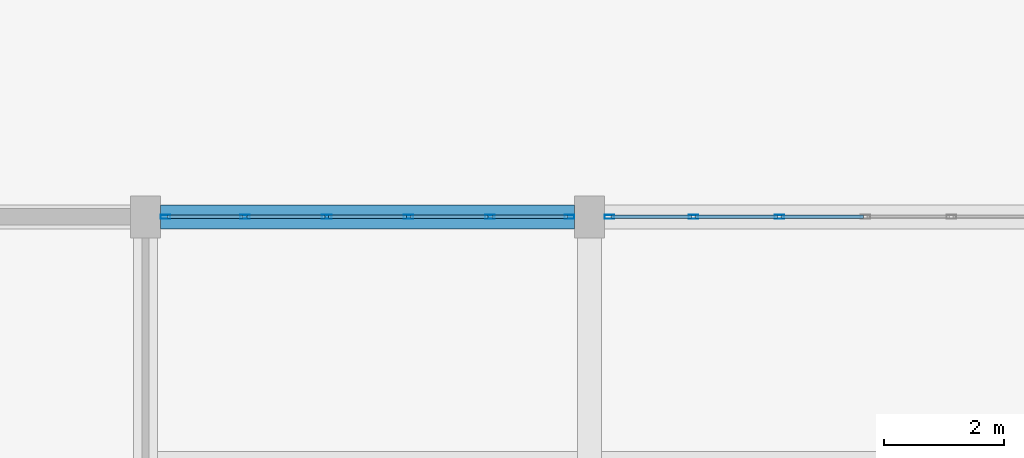
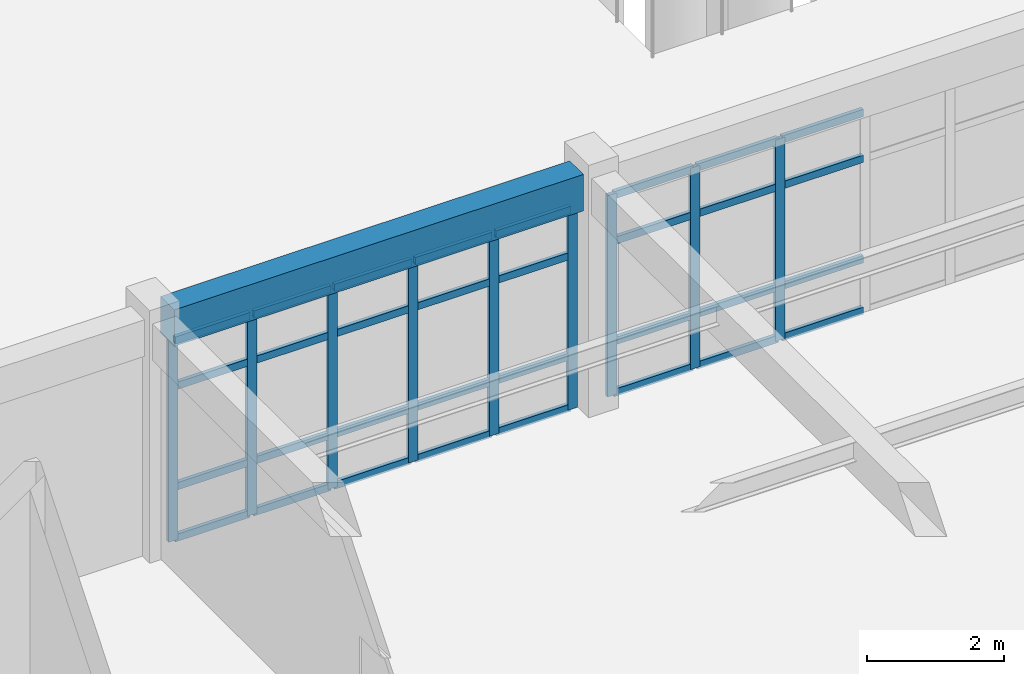
# One storey, part 36 of 154: 41 members, 1 beam, 2 elements without a shape of their own.
"""IFC4 building model written with IfcOpenShell, lengths in metres."""

import ifcopenshell
import ifcopenshell.guid

model = None  # the IFC model being written
_history = None  # IfcOwnerHistory: only IFC2X3 demands one
_inside = {}  # id of a spatial element -> (the spatial element, [elements in it])
_under = {}  # id of a project, library or spatial element -> (it, [spatial elements below it])
_declared = {}  # id of a project -> (the project, [libraries it declares])
_typed = {}  # id of a type object -> (the type object, [elements of that type])
_made_of = {}  # id of a material, layer set ... -> (it, [elements and type objects made of it])


def new_model(schema):
    """Start an empty IFC model of exactly this schema.

    Asked for "IFC4X3", IfcOpenShell would pick the latest addendum, in which some entities
    have other attributes; the version numbers below select the first issue.
    IFC2X3 requires an IfcOwnerHistory on every rooted entity: one is made here for all.
    """
    global model, _history
    if schema == "IFC4X3":
        model = ifcopenshell.file(schema_version=(4, 3, 0, 0))
    else:
        model = ifcopenshell.file(schema=schema)
    _inside.clear()
    _under.clear()
    _declared.clear()
    _typed.clear()
    _made_of.clear()
    _history = None
    if model.schema == "IFC2X3":
        org = make("IfcOrganization", Name="unknown")
        user = make(
            "IfcPersonAndOrganization",
            ThePerson=make("IfcPerson", FamilyName="unknown"),
            TheOrganization=org,
        )
        app = make(
            "IfcApplication",
            ApplicationDeveloper=org,
            Version="unknown",
            ApplicationFullName="unknown",
            ApplicationIdentifier="unknown",
        )
        _history = make(
            "IfcOwnerHistory",
            OwningUser=user,
            OwningApplication=app,
            ChangeAction="ADDED",
            CreationDate=0,
        )
    return model


def make(cls, **values):
    """One entity of the class cls with the attributes given. An attribute that is None is left unset."""
    return model.create_entity(
        cls, **{name: value for name, value in values.items() if value is not None}
    )


def rooted(cls, **values):
    """An entity with a GlobalId (a new one), such as an element, a storey or a relation."""
    return make(cls, GlobalId=ifcopenshell.guid.new(), OwnerHistory=_history, **values)


def si_unit(unit_type, name, prefix=None):
    """IfcSIUnit, for example si_unit("LENGTHUNIT", "METRE", prefix="MILLI")."""
    return make("IfcSIUnit", UnitType=unit_type, Prefix=prefix, Name=name)


def assignment(units):
    """IfcUnitAssignment: the units of a project."""
    return None if units is None else make("IfcUnitAssignment", Units=units)


def point(xyz):
    """IfcCartesianPoint."""
    return None if xyz is None else make("IfcCartesianPoint", Coordinates=xyz)


def direction(xyz):
    """IfcDirection."""
    return None if xyz is None else make("IfcDirection", DirectionRatios=xyz)


def frame(location, z_axis=None, x_axis=None):
    """IfcAxis2Placement3D, a coordinate frame: its origin and axes. An axis left out is left unset."""
    return make(
        "IfcAxis2Placement3D",
        Location=point(location),
        Axis=direction(z_axis),
        RefDirection=direction(x_axis),
    )


def frame_2d(location, x_axis=None):
    """IfcAxis2Placement2D, a coordinate frame in the plane: its origin and x axis."""
    return make(
        "IfcAxis2Placement2D", Location=point(location), RefDirection=direction(x_axis)
    )


def origin():
    """The frame at (0, 0, 0) with its axes left unset."""
    return frame((0.0, 0.0, 0.0))


def origin_2d():
    """The frame at (0, 0) in the plane with its x axis left unset."""
    return frame_2d((0.0, 0.0))


def place(relative_to, where):
    """IfcLocalPlacement: puts the frame where relative to a parent placement (None: the world)."""
    return make(
        "IfcLocalPlacement", PlacementRelTo=relative_to, RelativePlacement=where
    )


def context(
    kind, dimensions, precision=None, world=None, true_north=None, identifier=None
):
    """IfcGeometricRepresentationContext, for example the 3D "Model" context."""
    return make(
        "IfcGeometricRepresentationContext",
        ContextIdentifier=identifier,
        ContextType=kind,
        CoordinateSpaceDimension=dimensions,
        Precision=precision,
        WorldCoordinateSystem=world,
        TrueNorth=true_north,
    )


def subcontext(parent, identifier, kind, view, scale=None):
    """IfcGeometricRepresentationSubContext, for example "Body" below "Model"."""
    return make(
        "IfcGeometricRepresentationSubContext",
        ContextIdentifier=identifier,
        ContextType=kind,
        ParentContext=parent,
        TargetScale=scale,
        TargetView=view,
    )


def project(units=None, contexts=None):
    """IfcProject with its units and contexts."""
    return rooted(
        "IfcProject",
        Name="project",
        RepresentationContexts=contexts,
        UnitsInContext=assignment(units),
    )


def spatial(cls, under=None, at=None, **own):
    """A site, building, storey or space (cls), placed at a placement, below another one or the project."""
    s = rooted(cls, ObjectPlacement=at, **own)
    if under is not None:
        _under.setdefault(under.id(), (under, []))[1].append(s)
    return s


def profile(cls, at=None, kind="AREA", **sizes):
    """A parametric profile (cls). Its sizes go by their IFC names, for example OverallWidth=200.0."""
    return make(cls, ProfileType=kind, Position=at, **sizes)


def rectangle(**sizes):
    """IfcRectangleProfileDef."""
    return profile("IfcRectangleProfileDef", **sizes)


def hollow_rectangle(**sizes):
    """IfcRectangleHollowProfileDef."""
    return profile("IfcRectangleHollowProfileDef", **sizes)


def extrude(swept, where, along, depth):
    """IfcExtrudedAreaSolid: the profile swept, set in the frame where, extruded along a direction by depth."""
    return make(
        "IfcExtrudedAreaSolid",
        SweptArea=swept,
        Position=where,
        ExtrudedDirection=direction(along),
        Depth=depth,
    )


def shape(context_of_items, identifier, shape_type, items):
    """IfcShapeRepresentation: the items that make up one representation, for example the "Body"."""
    return make(
        "IfcShapeRepresentation",
        ContextOfItems=context_of_items,
        RepresentationIdentifier=identifier,
        RepresentationType=shape_type,
        Items=items,
    )


def material(Name=None, Category=None):
    """IfcMaterial."""
    return make("IfcMaterial", Name=Name, Category=Category)


def material_profile(
    of_material, cross_section, Name=None, Category=None, Priority=None
):
    """IfcMaterialProfile: a cross section and its material."""
    return make(
        "IfcMaterialProfile",
        Name=Name,
        Material=of_material,
        Profile=cross_section,
        Priority=Priority,
        Category=Category,
    )


def profile_set(profiles, Name=None, composite=None):
    """IfcMaterialProfileSet."""
    return make(
        "IfcMaterialProfileSet",
        Name=Name,
        MaterialProfiles=profiles,
        CompositeProfile=composite,
    )


def made_of(thing, what):
    """Note that an element or type object is made of a material, layer set ...; save() writes the relation."""
    if what is not None:
        _made_of.setdefault(what.id(), (what, []))[1].append(thing)
    return thing


def type_object(cls, material=None, **own):
    """A type object (cls), such as IfcWallType, which elements share."""
    return made_of(rooted(cls, **own), material)


def element(
    cls,
    number,
    at=None,
    inside=None,
    cuts=None,
    type_object=None,
    material=None,
    context=None,
    identifier="Body",
    shape_type=None,
    held_by="IfcProductDefinitionShape",
    body=None,
    shapes=None,
    **own,
):
    """One element of the class cls, such as IfcWall. Its Tag is "e" and its number.

    at: its placement. inside: the storey or other place that contains it. cuts: it is an
    opening in that element (IfcRelVoidsElement). A single representation is given by context,
    identifier, shape_type and body (its items); several are given by shapes. held_by: the class
    of the entity that holds the representations. save() writes the other relations.
    """
    e = rooted(cls, Tag="e%d" % number, ObjectPlacement=at, **own)
    if body is not None:
        shapes = [shape(context, identifier, shape_type, body)]
    if shapes is not None:
        e.Representation = make(held_by, Representations=shapes)
    if inside is not None:
        _inside.setdefault(inside.id(), (inside, []))[1].append(e)
    if cuts is not None:
        rooted(
            "IfcRelVoidsElement", RelatingBuildingElement=cuts, RelatedOpeningElement=e
        )
    if type_object is not None:
        _typed.setdefault(type_object.id(), (type_object, []))[1].append(e)
    return made_of(e, material)


def aggregate(whole, parts):
    """IfcRelAggregates: a whole, such as a stair, and the parts it consists of."""
    return rooted("IfcRelAggregates", RelatingObject=whole, RelatedObjects=parts)


def save(model, path):
    """Write the relations noted so far, then the file.

    IfcRelAggregates (storeys below a building ...), IfcRelContainedInSpatialStructure (elements
    in a storey), IfcRelDefinesByType, IfcRelAssociatesMaterial and IfcRelDeclares: one each for
    every whole, place, type object, material and project.
    """
    for whole, parts in _under.values():
        aggregate(whole, parts)
    for where, things in _inside.values():
        rooted(
            "IfcRelContainedInSpatialStructure",
            RelatedElements=things,
            RelatingStructure=where,
        )
    for kind, things in _typed.values():
        rooted("IfcRelDefinesByType", RelatedObjects=things, RelatingType=kind)
    for what, things in _made_of.values():
        rooted("IfcRelAssociatesMaterial", RelatedObjects=things, RelatingMaterial=what)
    for by, libraries in _declared.values():
        rooted("IfcRelDeclares", RelatingContext=by, RelatedDefinitions=libraries)
    model.write(path)


model = new_model("IFC4")

# Units and contexts
model_context = context("Model", 3, precision=1e-05, world=origin(), true_north=direction((0.0, 1.0)))
body_context = subcontext(model_context, "Body", "Model", "MODEL_VIEW")
ifc_project = project(units=[si_unit("LENGTHUNIT", "METRE"), si_unit("AREAUNIT", "SQUARE_METRE"), si_unit("VOLUMEUNIT", "CUBIC_METRE"), si_unit("PLANEANGLEUNIT", "RADIAN"), si_unit("MASSUNIT", "GRAM", prefix="KILO")], contexts=[model_context])

# Site, building, storey
site_placement = place(None, origin())
site = spatial("IfcSite", under=ifc_project, at=site_placement, CompositionType="ELEMENT")
building_placement = place(site_placement, origin())
building = spatial("IfcBuilding", under=site, at=building_placement, Name="Kestramere Prow Commons", CompositionType="ELEMENT")
storey_placement = place(building_placement, origin())
storey = spatial("IfcBuildingStorey", under=building, at=storey_placement, Name="L00", CompositionType="ELEMENT", Elevation=0.0)

# Beam
ifc_material_1 = material(Name="Precast concrete C40/50", Category="concrete")
ifc_material_profile_1 = material_profile(ifc_material_1, rectangle(XDim=0.39990234375, YDim=0.64990234375, at=origin_2d()), Name="PC-BM 400x650")
ifc_profile_set_1 = profile_set([ifc_material_profile_1], Name="Precast concrete C40/50")
beam_type = type_object("IfcBeamType", Name="BM-MK-01 PC-BM 400x650 (EX)", PredefinedType="BEAM", material=ifc_profile_set_1)
beam_placement = place(storey_placement, frame((68.64990234375, 24.0, 3.925048828125), z_axis=(1.0, 0.0, 0.0), x_axis=(0.0, 1.0, 0.0)))
element("IfcBeam", 1, at=beam_placement, inside=storey, type_object=beam_type, Name="Market Spine L00 Beam X 3-2", PredefinedType="BEAM", context=body_context, shape_type="SweptSolid", body=[
    extrude(rectangle(XDim=0.39990234375, YDim=0.64990234375, at=origin_2d()), origin(), (0.0, 0.0, 1.0), 6.900146484375),
])

# Curtain wall, members
ifc_material_2 = material(Name="Anodised Aluminium and Low-E Glass", Category="aluminium")
curtain_wall_type_1 = type_object("IfcCurtainWallType", Name="CW-20 Glazed Curtain Wall 6800x3590", PredefinedType="USERDEFINED", material=ifc_material_2)
curtain_wall_1_placement = place(storey_placement, origin())
curtain_wall_1 = element("IfcCurtainWall", 2, at=curtain_wall_1_placement, inside=storey, type_object=curtain_wall_type_1, Name="Market L00 Courtyard Shopfront 2", ObjectType="GLAZED CURTAIN WALL", PredefinedType="USERDEFINED")
ifc_material_3 = material(Name="Anodised Aluminium 6063-T6", Category="aluminium")
ifc_material_profile_2 = material_profile(ifc_material_3, hollow_rectangle(XDim=0.06494140625, YDim=0.159912109375, WallThickness=0.00390625, at=origin_2d()), Name="ALU-MUL 65x160")
ifc_profile_set_2 = profile_set([ifc_material_profile_2], Name="Anodised Aluminium 6063-T6")
member_type_1 = type_object("IfcMemberType", Name="CW-MUL-65x160", PredefinedType="MULLION", material=ifc_profile_set_2)
member_1_placement = place(storey_placement, frame((68.732421875, 24.0, 0.0), z_axis=(0.0, 0.0, 1.0), x_axis=(0.0, 1.0, 0.0)))
member_1 = element("IfcMember", 3, at=member_1_placement, type_object=member_type_1, Name="CW-20 mullion 1", PredefinedType="MULLION", context=body_context, shape_type="SweptSolid", body=[
    extrude(hollow_rectangle(XDim=0.06494140625, YDim=0.159912109375, WallThickness=0.00390625, at=origin_2d()), origin(), (0.0, 0.0, 1.0), 3.590087890625),
])
member_2_placement = place(storey_placement, frame((70.06005859375, 24.0, 0.0), z_axis=(0.0, 0.0, 1.0), x_axis=(0.0, 1.0, 0.0)))
member_2 = element("IfcMember", 4, at=member_2_placement, type_object=member_type_1, Name="CW-20 mullion 2", PredefinedType="MULLION", context=body_context, shape_type="SweptSolid", body=[
    extrude(hollow_rectangle(XDim=0.06494140625, YDim=0.159912109375, WallThickness=0.00390625, at=origin_2d()), origin(), (0.0, 0.0, 1.0), 3.590087890625),
])
member_3_placement = place(storey_placement, frame((71.419921875, 24.0, 0.0), z_axis=(0.0, 0.0, 1.0), x_axis=(0.0, 1.0, 0.0)))
member_3 = element("IfcMember", 5, at=member_3_placement, type_object=member_type_1, Name="CW-20 mullion 3", PredefinedType="MULLION", context=body_context, shape_type="SweptSolid", body=[
    extrude(hollow_rectangle(XDim=0.06494140625, YDim=0.159912109375, WallThickness=0.00390625, at=origin_2d()), origin(), (0.0, 0.0, 1.0), 3.590087890625),
])
member_4_placement = place(storey_placement, frame((72.780029296875, 24.0, 0.0), z_axis=(0.0, 0.0, 1.0), x_axis=(0.0, 1.0, 0.0)))
member_4 = element("IfcMember", 6, at=member_4_placement, type_object=member_type_1, Name="CW-20 mullion 4", PredefinedType="MULLION", context=body_context, shape_type="SweptSolid", body=[
    extrude(hollow_rectangle(XDim=0.06494140625, YDim=0.159912109375, WallThickness=0.00390625, at=origin_2d()), origin(), (0.0, 0.0, 1.0), 3.590087890625),
])
member_5_placement = place(storey_placement, frame((74.139892578125, 24.0, 0.0), z_axis=(0.0, 0.0, 1.0), x_axis=(0.0, 1.0, 0.0)))
member_5 = element("IfcMember", 7, at=member_5_placement, type_object=member_type_1, Name="CW-20 mullion 5", PredefinedType="MULLION", context=body_context, shape_type="SweptSolid", body=[
    extrude(hollow_rectangle(XDim=0.06494140625, YDim=0.159912109375, WallThickness=0.00390625, at=origin_2d()), origin(), (0.0, 0.0, 1.0), 3.590087890625),
])
member_6_placement = place(storey_placement, frame((75.467529296875, 24.0, 0.0), z_axis=(0.0, 0.0, 1.0), x_axis=(0.0, 1.0, 0.0)))
member_6 = element("IfcMember", 8, at=member_6_placement, type_object=member_type_1, Name="CW-20 mullion 6", PredefinedType="MULLION", context=body_context, shape_type="SweptSolid", body=[
    extrude(hollow_rectangle(XDim=0.06494140625, YDim=0.159912109375, WallThickness=0.00390625, at=origin_2d()), origin(), (0.0, 0.0, 1.0), 3.590087890625),
])

curtain_wall_type_2 = type_object("IfcCurtainWallType", Name="CW-21 Glazed Curtain Wall 8600x3590", PredefinedType="USERDEFINED", material=ifc_material_2)
curtain_wall_2_placement = place(storey_placement, origin())
curtain_wall_2 = element("IfcCurtainWall", 9, at=curtain_wall_2_placement, inside=storey, type_object=curtain_wall_type_2, Name="Market L00 Courtyard Shopfront 3", ObjectType="GLAZED CURTAIN WALL", PredefinedType="USERDEFINED")
member_7_placement = place(storey_placement, frame((76.132568359375, 24.0, 0.0), z_axis=(0.0, 0.0, 1.0), x_axis=(0.0, 1.0, 0.0)))
member_7 = element("IfcMember", 10, at=member_7_placement, type_object=member_type_1, Name="CW-21 mullion 1", PredefinedType="MULLION", context=body_context, shape_type="SweptSolid", body=[
    extrude(hollow_rectangle(XDim=0.06494140625, YDim=0.159912109375, WallThickness=0.00390625, at=origin_2d()), origin(), (0.0, 0.0, 1.0), 3.590087890625),
])
member_8_placement = place(storey_placement, frame((77.533447265625, 24.0, 0.0), z_axis=(0.0, 0.0, 1.0), x_axis=(0.0, 1.0, 0.0)))
member_8 = element("IfcMember", 11, at=member_8_placement, type_object=member_type_1, Name="CW-21 mullion 2", PredefinedType="MULLION", context=body_context, shape_type="SweptSolid", body=[
    extrude(hollow_rectangle(XDim=0.06494140625, YDim=0.159912109375, WallThickness=0.00390625, at=origin_2d()), origin(), (0.0, 0.0, 1.0), 3.590087890625),
])
member_9_placement = place(storey_placement, frame((78.966552734375, 24.0, 0.0), z_axis=(0.0, 0.0, 1.0), x_axis=(0.0, 1.0, 0.0)))
member_9 = element("IfcMember", 12, at=member_9_placement, type_object=member_type_1, Name="CW-21 mullion 3", PredefinedType="MULLION", context=body_context, shape_type="SweptSolid", body=[
    extrude(hollow_rectangle(XDim=0.06494140625, YDim=0.159912109375, WallThickness=0.00390625, at=origin_2d()), origin(), (0.0, 0.0, 1.0), 3.590087890625),
])

# Member
ifc_material_profile_3 = material_profile(ifc_material_3, hollow_rectangle(XDim=0.06494140625, YDim=0.1298828125, WallThickness=0.00390625, at=origin_2d()), Name="ALU-TRN 65x130")
ifc_profile_set_3 = profile_set([ifc_material_profile_3], Name="Anodised Aluminium 6063-T6")
member_type_2 = type_object("IfcMemberType", Name="CW-TRN-65x130", PredefinedType="USERDEFINED", material=ifc_profile_set_3)
member_10_placement = place(storey_placement, frame((68.764892578125, 24.0, 0.032470703125), z_axis=(1.0, 0.0, 0.0), x_axis=(0.0, 1.0, 0.0)))
member_10 = element("IfcMember", 13, at=member_10_placement, type_object=member_type_2, Name="CW-20 transom 1.1", ObjectType="TRANSOM", PredefinedType="USERDEFINED", context=body_context, shape_type="SweptSolid", body=[
    extrude(hollow_rectangle(XDim=0.06494140625, YDim=0.1298828125, WallThickness=0.00390625, at=origin_2d()), origin(), (0.0, 0.0, 1.0), 1.2626953125),
])

member_11_placement = place(storey_placement, frame((68.764892578125, 24.0, 0.949951171875), z_axis=(1.0, 0.0, 0.0), x_axis=(0.0, 1.0, 0.0)))
member_11 = element("IfcMember", 14, at=member_11_placement, type_object=member_type_2, Name="CW-20 transom 1.2", ObjectType="TRANSOM", PredefinedType="USERDEFINED", context=body_context, shape_type="SweptSolid", body=[
    extrude(hollow_rectangle(XDim=0.06494140625, YDim=0.1298828125, WallThickness=0.00390625, at=origin_2d()), origin(), (0.0, 0.0, 1.0), 1.2626953125),
])

member_12_placement = place(storey_placement, frame((68.764892578125, 24.0, 2.739990234375), z_axis=(1.0, 0.0, 0.0), x_axis=(0.0, 1.0, 0.0)))
member_12 = element("IfcMember", 15, at=member_12_placement, type_object=member_type_2, Name="CW-20 transom 1.3", ObjectType="TRANSOM", PredefinedType="USERDEFINED", context=body_context, shape_type="SweptSolid", body=[
    extrude(hollow_rectangle(XDim=0.06494140625, YDim=0.1298828125, WallThickness=0.00390625, at=origin_2d()), origin(), (0.0, 0.0, 1.0), 1.2626953125),
])

member_13_placement = place(storey_placement, frame((68.764892578125, 24.0, 3.5576171875), z_axis=(1.0, 0.0, 0.0), x_axis=(0.0, 1.0, 0.0)))
member_13 = element("IfcMember", 16, at=member_13_placement, type_object=member_type_2, Name="CW-20 transom 1.4", ObjectType="TRANSOM", PredefinedType="USERDEFINED", context=body_context, shape_type="SweptSolid", body=[
    extrude(hollow_rectangle(XDim=0.06494140625, YDim=0.1298828125, WallThickness=0.00390625, at=origin_2d()), origin(), (0.0, 0.0, 1.0), 1.2626953125),
])

member_14_placement = place(storey_placement, frame((70.092529296875, 24.0, 0.032470703125), z_axis=(1.0, 0.0, 0.0), x_axis=(0.0, 1.0, 0.0)))
member_14 = element("IfcMember", 17, at=member_14_placement, type_object=member_type_2, Name="CW-20 transom 2.1", ObjectType="TRANSOM", PredefinedType="USERDEFINED", context=body_context, shape_type="SweptSolid", body=[
    extrude(hollow_rectangle(XDim=0.06494140625, YDim=0.1298828125, WallThickness=0.00390625, at=origin_2d()), origin(), (0.0, 0.0, 1.0), 1.294921875),
])

member_15_placement = place(storey_placement, frame((70.092529296875, 24.0, 0.949951171875), z_axis=(1.0, 0.0, 0.0), x_axis=(0.0, 1.0, 0.0)))
member_15 = element("IfcMember", 18, at=member_15_placement, type_object=member_type_2, Name="CW-20 transom 2.2", ObjectType="TRANSOM", PredefinedType="USERDEFINED", context=body_context, shape_type="SweptSolid", body=[
    extrude(hollow_rectangle(XDim=0.06494140625, YDim=0.1298828125, WallThickness=0.00390625, at=origin_2d()), origin(), (0.0, 0.0, 1.0), 1.294921875),
])

member_16_placement = place(storey_placement, frame((70.092529296875, 24.0, 2.739990234375), z_axis=(1.0, 0.0, 0.0), x_axis=(0.0, 1.0, 0.0)))
member_16 = element("IfcMember", 19, at=member_16_placement, type_object=member_type_2, Name="CW-20 transom 2.3", ObjectType="TRANSOM", PredefinedType="USERDEFINED", context=body_context, shape_type="SweptSolid", body=[
    extrude(hollow_rectangle(XDim=0.06494140625, YDim=0.1298828125, WallThickness=0.00390625, at=origin_2d()), origin(), (0.0, 0.0, 1.0), 1.294921875),
])

member_17_placement = place(storey_placement, frame((70.092529296875, 24.0, 3.5576171875), z_axis=(1.0, 0.0, 0.0), x_axis=(0.0, 1.0, 0.0)))
member_17 = element("IfcMember", 20, at=member_17_placement, type_object=member_type_2, Name="CW-20 transom 2.4", ObjectType="TRANSOM", PredefinedType="USERDEFINED", context=body_context, shape_type="SweptSolid", body=[
    extrude(hollow_rectangle(XDim=0.06494140625, YDim=0.1298828125, WallThickness=0.00390625, at=origin_2d()), origin(), (0.0, 0.0, 1.0), 1.294921875),
])

member_18_placement = place(storey_placement, frame((71.452392578125, 24.0, 0.032470703125), z_axis=(1.0, 0.0, 0.0), x_axis=(0.0, 1.0, 0.0)))
member_18 = element("IfcMember", 21, at=member_18_placement, type_object=member_type_2, Name="CW-20 transom 3.1", ObjectType="TRANSOM", PredefinedType="USERDEFINED", context=body_context, shape_type="SweptSolid", body=[
    extrude(hollow_rectangle(XDim=0.06494140625, YDim=0.1298828125, WallThickness=0.00390625, at=origin_2d()), origin(), (0.0, 0.0, 1.0), 1.295166015625),
])

member_19_placement = place(storey_placement, frame((71.452392578125, 24.0, 0.949951171875), z_axis=(1.0, 0.0, 0.0), x_axis=(0.0, 1.0, 0.0)))
member_19 = element("IfcMember", 22, at=member_19_placement, type_object=member_type_2, Name="CW-20 transom 3.2", ObjectType="TRANSOM", PredefinedType="USERDEFINED", context=body_context, shape_type="SweptSolid", body=[
    extrude(hollow_rectangle(XDim=0.06494140625, YDim=0.1298828125, WallThickness=0.00390625, at=origin_2d()), origin(), (0.0, 0.0, 1.0), 1.295166015625),
])

member_20_placement = place(storey_placement, frame((71.452392578125, 24.0, 2.739990234375), z_axis=(1.0, 0.0, 0.0), x_axis=(0.0, 1.0, 0.0)))
member_20 = element("IfcMember", 23, at=member_20_placement, type_object=member_type_2, Name="CW-20 transom 3.3", ObjectType="TRANSOM", PredefinedType="USERDEFINED", context=body_context, shape_type="SweptSolid", body=[
    extrude(hollow_rectangle(XDim=0.06494140625, YDim=0.1298828125, WallThickness=0.00390625, at=origin_2d()), origin(), (0.0, 0.0, 1.0), 1.295166015625),
])

member_21_placement = place(storey_placement, frame((71.452392578125, 24.0, 3.5576171875), z_axis=(1.0, 0.0, 0.0), x_axis=(0.0, 1.0, 0.0)))
member_21 = element("IfcMember", 24, at=member_21_placement, type_object=member_type_2, Name="CW-20 transom 3.4", ObjectType="TRANSOM", PredefinedType="USERDEFINED", context=body_context, shape_type="SweptSolid", body=[
    extrude(hollow_rectangle(XDim=0.06494140625, YDim=0.1298828125, WallThickness=0.00390625, at=origin_2d()), origin(), (0.0, 0.0, 1.0), 1.295166015625),
])

member_22_placement = place(storey_placement, frame((72.8125, 24.0, 0.032470703125), z_axis=(1.0, 0.0, 0.0), x_axis=(0.0, 1.0, 0.0)))
member_22 = element("IfcMember", 25, at=member_22_placement, type_object=member_type_2, Name="CW-20 transom 4.1", ObjectType="TRANSOM", PredefinedType="USERDEFINED", context=body_context, shape_type="SweptSolid", body=[
    extrude(hollow_rectangle(XDim=0.06494140625, YDim=0.1298828125, WallThickness=0.00390625, at=origin_2d()), origin(), (0.0, 0.0, 1.0), 1.294921875),
])

member_23_placement = place(storey_placement, frame((72.8125, 24.0, 0.949951171875), z_axis=(1.0, 0.0, 0.0), x_axis=(0.0, 1.0, 0.0)))
member_23 = element("IfcMember", 26, at=member_23_placement, type_object=member_type_2, Name="CW-20 transom 4.2", ObjectType="TRANSOM", PredefinedType="USERDEFINED", context=body_context, shape_type="SweptSolid", body=[
    extrude(hollow_rectangle(XDim=0.06494140625, YDim=0.1298828125, WallThickness=0.00390625, at=origin_2d()), origin(), (0.0, 0.0, 1.0), 1.294921875),
])

member_24_placement = place(storey_placement, frame((72.8125, 24.0, 2.739990234375), z_axis=(1.0, 0.0, 0.0), x_axis=(0.0, 1.0, 0.0)))
member_24 = element("IfcMember", 27, at=member_24_placement, type_object=member_type_2, Name="CW-20 transom 4.3", ObjectType="TRANSOM", PredefinedType="USERDEFINED", context=body_context, shape_type="SweptSolid", body=[
    extrude(hollow_rectangle(XDim=0.06494140625, YDim=0.1298828125, WallThickness=0.00390625, at=origin_2d()), origin(), (0.0, 0.0, 1.0), 1.294921875),
])

member_25_placement = place(storey_placement, frame((72.8125, 24.0, 3.5576171875), z_axis=(1.0, 0.0, 0.0), x_axis=(0.0, 1.0, 0.0)))
member_25 = element("IfcMember", 28, at=member_25_placement, type_object=member_type_2, Name="CW-20 transom 4.4", ObjectType="TRANSOM", PredefinedType="USERDEFINED", context=body_context, shape_type="SweptSolid", body=[
    extrude(hollow_rectangle(XDim=0.06494140625, YDim=0.1298828125, WallThickness=0.00390625, at=origin_2d()), origin(), (0.0, 0.0, 1.0), 1.294921875),
])

member_26_placement = place(storey_placement, frame((74.172607421875, 24.0, 0.032470703125), z_axis=(1.0, 0.0, 0.0), x_axis=(0.0, 1.0, 0.0)))
member_26 = element("IfcMember", 29, at=member_26_placement, type_object=member_type_2, Name="CW-20 transom 5.1", ObjectType="TRANSOM", PredefinedType="USERDEFINED", context=body_context, shape_type="SweptSolid", body=[
    extrude(hollow_rectangle(XDim=0.06494140625, YDim=0.1298828125, WallThickness=0.00390625, at=origin_2d()), origin(), (0.0, 0.0, 1.0), 1.262451171875),
])

member_27_placement = place(storey_placement, frame((74.172607421875, 24.0, 0.949951171875), z_axis=(1.0, 0.0, 0.0), x_axis=(0.0, 1.0, 0.0)))
member_27 = element("IfcMember", 30, at=member_27_placement, type_object=member_type_2, Name="CW-20 transom 5.2", ObjectType="TRANSOM", PredefinedType="USERDEFINED", context=body_context, shape_type="SweptSolid", body=[
    extrude(hollow_rectangle(XDim=0.06494140625, YDim=0.1298828125, WallThickness=0.00390625, at=origin_2d()), origin(), (0.0, 0.0, 1.0), 1.262451171875),
])

member_28_placement = place(storey_placement, frame((74.172607421875, 24.0, 2.739990234375), z_axis=(1.0, 0.0, 0.0), x_axis=(0.0, 1.0, 0.0)))
member_28 = element("IfcMember", 31, at=member_28_placement, type_object=member_type_2, Name="CW-20 transom 5.3", ObjectType="TRANSOM", PredefinedType="USERDEFINED", context=body_context, shape_type="SweptSolid", body=[
    extrude(hollow_rectangle(XDim=0.06494140625, YDim=0.1298828125, WallThickness=0.00390625, at=origin_2d()), origin(), (0.0, 0.0, 1.0), 1.262451171875),
])

member_29_placement = place(storey_placement, frame((74.172607421875, 24.0, 3.5576171875), z_axis=(1.0, 0.0, 0.0), x_axis=(0.0, 1.0, 0.0)))
member_29 = element("IfcMember", 32, at=member_29_placement, type_object=member_type_2, Name="CW-20 transom 5.4", ObjectType="TRANSOM", PredefinedType="USERDEFINED", context=body_context, shape_type="SweptSolid", body=[
    extrude(hollow_rectangle(XDim=0.06494140625, YDim=0.1298828125, WallThickness=0.00390625, at=origin_2d()), origin(), (0.0, 0.0, 1.0), 1.262451171875),
])

aggregate(curtain_wall_1, [member_1, member_2, member_3, member_4, member_5, member_6, member_10, member_11, member_12, member_13, member_14, member_15, member_16, member_17, member_18, member_19, member_20, member_21, member_22, member_23, member_24, member_25, member_26, member_27, member_28, member_29])

member_30_placement = place(storey_placement, frame((76.1650390625, 24.0, 0.032470703125), z_axis=(1.0, 0.0, 0.0), x_axis=(0.0, 1.0, 0.0)))
member_30 = element("IfcMember", 33, at=member_30_placement, type_object=member_type_2, Name="CW-21 transom 1.1", ObjectType="TRANSOM", PredefinedType="USERDEFINED", context=body_context, shape_type="SweptSolid", body=[
    extrude(hollow_rectangle(XDim=0.06494140625, YDim=0.1298828125, WallThickness=0.00390625, at=origin_2d()), origin(), (0.0, 0.0, 1.0), 1.335693359375),
])

member_31_placement = place(storey_placement, frame((76.1650390625, 24.0, 0.949951171875), z_axis=(1.0, 0.0, 0.0), x_axis=(0.0, 1.0, 0.0)))
member_31 = element("IfcMember", 34, at=member_31_placement, type_object=member_type_2, Name="CW-21 transom 1.2", ObjectType="TRANSOM", PredefinedType="USERDEFINED", context=body_context, shape_type="SweptSolid", body=[
    extrude(hollow_rectangle(XDim=0.06494140625, YDim=0.1298828125, WallThickness=0.00390625, at=origin_2d()), origin(), (0.0, 0.0, 1.0), 1.335693359375),
])

member_32_placement = place(storey_placement, frame((76.1650390625, 24.0, 2.739990234375), z_axis=(1.0, 0.0, 0.0), x_axis=(0.0, 1.0, 0.0)))
member_32 = element("IfcMember", 35, at=member_32_placement, type_object=member_type_2, Name="CW-21 transom 1.3", ObjectType="TRANSOM", PredefinedType="USERDEFINED", context=body_context, shape_type="SweptSolid", body=[
    extrude(hollow_rectangle(XDim=0.06494140625, YDim=0.1298828125, WallThickness=0.00390625, at=origin_2d()), origin(), (0.0, 0.0, 1.0), 1.335693359375),
])

member_33_placement = place(storey_placement, frame((76.1650390625, 24.0, 3.5576171875), z_axis=(1.0, 0.0, 0.0), x_axis=(0.0, 1.0, 0.0)))
member_33 = element("IfcMember", 36, at=member_33_placement, type_object=member_type_2, Name="CW-21 transom 1.4", ObjectType="TRANSOM", PredefinedType="USERDEFINED", context=body_context, shape_type="SweptSolid", body=[
    extrude(hollow_rectangle(XDim=0.06494140625, YDim=0.1298828125, WallThickness=0.00390625, at=origin_2d()), origin(), (0.0, 0.0, 1.0), 1.335693359375),
])

member_34_placement = place(storey_placement, frame((77.56591796875, 24.0, 0.032470703125), z_axis=(1.0, 0.0, 0.0), x_axis=(0.0, 1.0, 0.0)))
member_34 = element("IfcMember", 37, at=member_34_placement, type_object=member_type_2, Name="CW-21 transom 2.1", ObjectType="TRANSOM", PredefinedType="USERDEFINED", context=body_context, shape_type="SweptSolid", body=[
    extrude(hollow_rectangle(XDim=0.06494140625, YDim=0.1298828125, WallThickness=0.00390625, at=origin_2d()), origin(), (0.0, 0.0, 1.0), 1.3681640625),
])

member_35_placement = place(storey_placement, frame((77.56591796875, 24.0, 0.949951171875), z_axis=(1.0, 0.0, 0.0), x_axis=(0.0, 1.0, 0.0)))
member_35 = element("IfcMember", 38, at=member_35_placement, type_object=member_type_2, Name="CW-21 transom 2.2", ObjectType="TRANSOM", PredefinedType="USERDEFINED", context=body_context, shape_type="SweptSolid", body=[
    extrude(hollow_rectangle(XDim=0.06494140625, YDim=0.1298828125, WallThickness=0.00390625, at=origin_2d()), origin(), (0.0, 0.0, 1.0), 1.3681640625),
])

member_36_placement = place(storey_placement, frame((77.56591796875, 24.0, 2.739990234375), z_axis=(1.0, 0.0, 0.0), x_axis=(0.0, 1.0, 0.0)))
member_36 = element("IfcMember", 39, at=member_36_placement, type_object=member_type_2, Name="CW-21 transom 2.3", ObjectType="TRANSOM", PredefinedType="USERDEFINED", context=body_context, shape_type="SweptSolid", body=[
    extrude(hollow_rectangle(XDim=0.06494140625, YDim=0.1298828125, WallThickness=0.00390625, at=origin_2d()), origin(), (0.0, 0.0, 1.0), 1.3681640625),
])

member_37_placement = place(storey_placement, frame((77.56591796875, 24.0, 3.5576171875), z_axis=(1.0, 0.0, 0.0), x_axis=(0.0, 1.0, 0.0)))
member_37 = element("IfcMember", 40, at=member_37_placement, type_object=member_type_2, Name="CW-21 transom 2.4", ObjectType="TRANSOM", PredefinedType="USERDEFINED", context=body_context, shape_type="SweptSolid", body=[
    extrude(hollow_rectangle(XDim=0.06494140625, YDim=0.1298828125, WallThickness=0.00390625, at=origin_2d()), origin(), (0.0, 0.0, 1.0), 1.3681640625),
])

member_38_placement = place(storey_placement, frame((78.999267578125, 24.0, 0.032470703125), z_axis=(1.0, 0.0, 0.0), x_axis=(0.0, 1.0, 0.0)))
member_38 = element("IfcMember", 41, at=member_38_placement, type_object=member_type_2, Name="CW-21 transom 3.1", ObjectType="TRANSOM", PredefinedType="USERDEFINED", context=body_context, shape_type="SweptSolid", body=[
    extrude(hollow_rectangle(XDim=0.06494140625, YDim=0.1298828125, WallThickness=0.00390625, at=origin_2d()), origin(), (0.0, 0.0, 1.0), 1.3681640625),
])

member_39_placement = place(storey_placement, frame((78.999267578125, 24.0, 0.949951171875), z_axis=(1.0, 0.0, 0.0), x_axis=(0.0, 1.0, 0.0)))
member_39 = element("IfcMember", 42, at=member_39_placement, type_object=member_type_2, Name="CW-21 transom 3.2", ObjectType="TRANSOM", PredefinedType="USERDEFINED", context=body_context, shape_type="SweptSolid", body=[
    extrude(hollow_rectangle(XDim=0.06494140625, YDim=0.1298828125, WallThickness=0.00390625, at=origin_2d()), origin(), (0.0, 0.0, 1.0), 1.3681640625),
])

member_40_placement = place(storey_placement, frame((78.999267578125, 24.0, 2.739990234375), z_axis=(1.0, 0.0, 0.0), x_axis=(0.0, 1.0, 0.0)))
member_40 = element("IfcMember", 43, at=member_40_placement, type_object=member_type_2, Name="CW-21 transom 3.3", ObjectType="TRANSOM", PredefinedType="USERDEFINED", context=body_context, shape_type="SweptSolid", body=[
    extrude(hollow_rectangle(XDim=0.06494140625, YDim=0.1298828125, WallThickness=0.00390625, at=origin_2d()), origin(), (0.0, 0.0, 1.0), 1.3681640625),
])

member_41_placement = place(storey_placement, frame((78.999267578125, 24.0, 3.5576171875), z_axis=(1.0, 0.0, 0.0), x_axis=(0.0, 1.0, 0.0)))
member_41 = element("IfcMember", 44, at=member_41_placement, type_object=member_type_2, Name="CW-21 transom 3.4", ObjectType="TRANSOM", PredefinedType="USERDEFINED", context=body_context, shape_type="SweptSolid", body=[
    extrude(hollow_rectangle(XDim=0.06494140625, YDim=0.1298828125, WallThickness=0.00390625, at=origin_2d()), origin(), (0.0, 0.0, 1.0), 1.3681640625),
])

aggregate(curtain_wall_2, [member_7, member_8, member_9, member_30, member_31, member_32, member_33, member_34, member_35, member_36, member_37, member_38, member_39, member_40, member_41])

save(model, "model.ifc")
